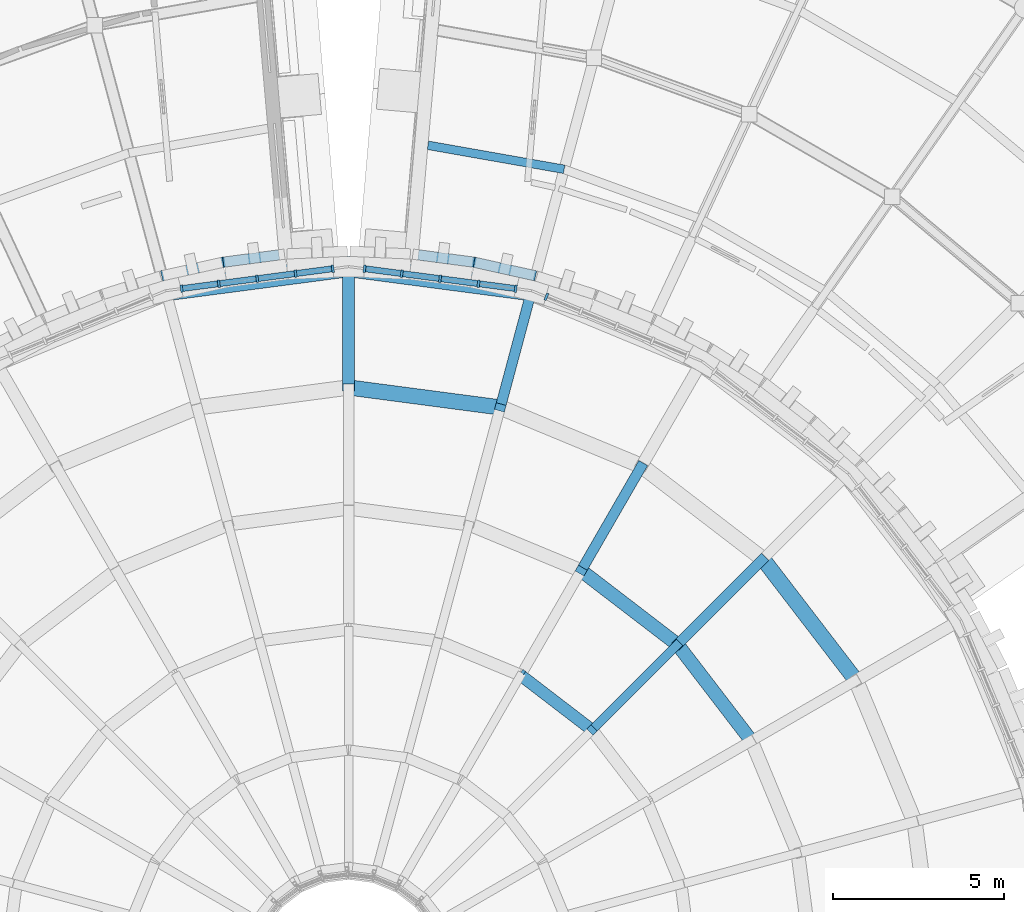
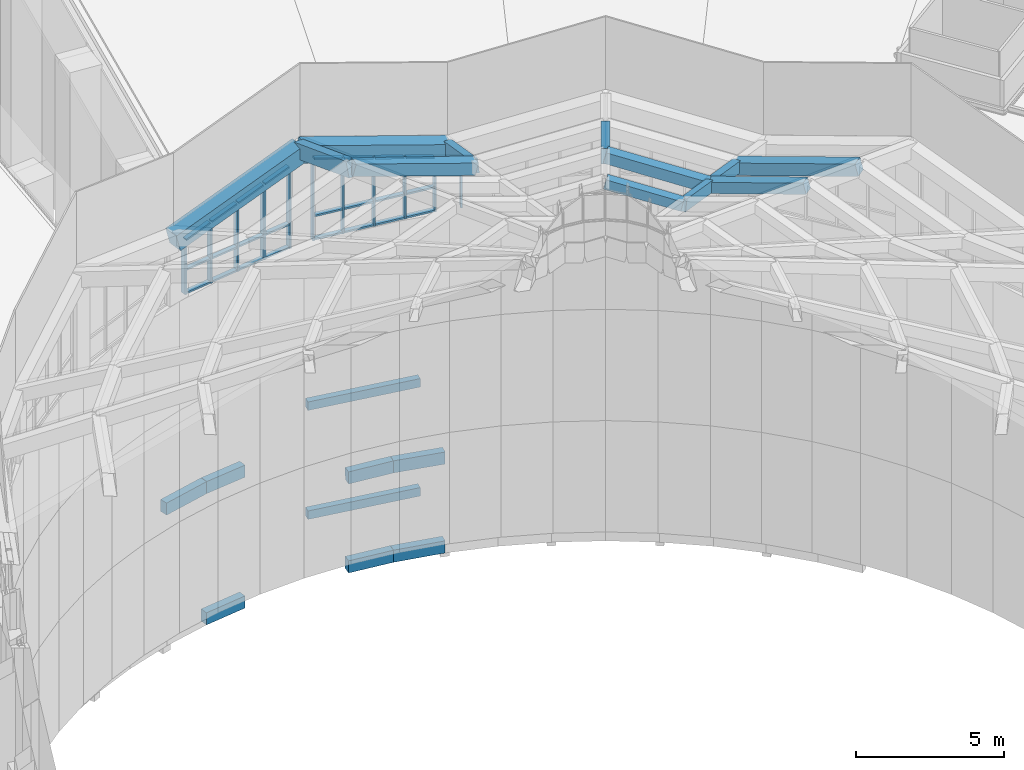
# One storey, part 16 of 82: 35 members, 21 beams, 3 elements without a shape of their own.
"""IFC4 building model written with IfcOpenShell, lengths in metres."""

from ifc_helpers import new_model, si_unit, direction, frame, origin, origin_2d, place, context, subcontext, project, spatial, rectangle, extrude, material, layer, layer_set, material_profile, profile_set, type_object, element, aggregate, save


model = new_model("IFC4")

# Units and contexts
model_context = context("Model", 3, precision=1e-05, world=origin(), true_north=direction((0.0, 1.0)))
body_context = subcontext(model_context, "Body", "Model", "MODEL_VIEW")
ifc_project = project(units=[si_unit("LENGTHUNIT", "METRE"), si_unit("AREAUNIT", "SQUARE_METRE"), si_unit("VOLUMEUNIT", "CUBIC_METRE"), si_unit("PLANEANGLEUNIT", "RADIAN"), si_unit("MASSUNIT", "GRAM", prefix="KILO")], contexts=[model_context])

# Site, building, storey
site_placement = place(None, origin())
site = spatial("IfcSite", under=ifc_project, at=site_placement, CompositionType="ELEMENT")
building_placement = place(site_placement, origin())
building = spatial("IfcBuilding", under=site, at=building_placement, Name="Volute Hill Aquarium", CompositionType="ELEMENT")
storey_placement = place(building_placement, frame((0.0, 0.0, 13.800048828125)))
storey = spatial("IfcBuildingStorey", under=building, at=storey_placement, Name="L04", CompositionType="ELEMENT", Elevation=13.800048828125)

# Curtain wall, member
ifc_material_1 = material(Name="Aluminium", Category="aluminium")
ifc_layer = layer(ifc_material_1, 0.219970703125)
ifc_layer_set = layer_set([ifc_layer], Name="Curtain wall DR clerestory module 1134")
curtain_wall_type = type_object("IfcCurtainWallType", Name="Curtain wall DR clerestory module 1134", PredefinedType="NOTDEFINED", material=ifc_layer_set)
curtain_wall_1_placement = place(storey_placement, origin())
curtain_wall_1 = element("IfcCurtainWall", 1, at=curtain_wall_1_placement, inside=storey, type_object=curtain_wall_type, Name="Curtain wall CW DR clerestory c04", PredefinedType="NOTDEFINED")
ifc_material_2 = material(Name="Aluminium", Category="aluminium")
ifc_material_profile_1 = material_profile(ifc_material_2, rectangle(XDim=0.219970703125, YDim=0.070068359375, at=origin_2d()), Name="Curtain wall mullion clerestory 70x220")
ifc_profile_set_1 = profile_set([ifc_material_profile_1], Name="Aluminium")
member_type_1 = type_object("IfcMemberType", Name="Curtain wall mullion clerestory 70x220", PredefinedType="MULLION", material=ifc_profile_set_1)
member_1_placement = place(storey_placement, frame((5.790771484375, 19.815185546875, 13.699951171875), z_axis=(0.0, 0.0, 1.0), x_axis=(-0.382696102118, -0.923874284426, 0.0)))
member_1 = element("IfcMember", 2, at=member_1_placement, type_object=member_type_1, Name="Mullion DR clerestory 5", PredefinedType="MULLION", context=body_context, shape_type="SweptSolid", body=[
    extrude(rectangle(XDim=0.219970703125, YDim=0.070068359375, at=origin_2d()), origin(), (0.0, 0.0, 1.0), 2.248779296875),
])
aggregate(curtain_wall_1, [member_1])

# Curtain wall, members
curtain_wall_2_placement = place(storey_placement, origin())
curtain_wall_2 = element("IfcCurtainWall", 3, at=curtain_wall_2_placement, inside=storey, type_object=curtain_wall_type, Name="Curtain wall CW DR clerestory c05", PredefinedType="NOTDEFINED")
member_2_placement = place(storey_placement, frame((4.892822265625, 20.055908203125, 13.699951171875), z_axis=(0.0, 0.0, 1.0), x_axis=(-0.130518657667, -0.991445853287, 0.0)))
member_2 = element("IfcMember", 4, at=member_2_placement, type_object=member_type_1, Name="Mullion DR clerestory 1", PredefinedType="MULLION", context=body_context, shape_type="SweptSolid", body=[
    extrude(rectangle(XDim=0.219970703125, YDim=0.070068359375, at=origin_2d()), origin(), (0.0, 0.0, 1.0), 2.248779296875),
])
member_3_placement = place(storey_placement, frame((3.80322265625, 20.19921875, 13.699951171875), z_axis=(0.0, 0.0, 1.0), x_axis=(-0.130518657667, -0.991445853287, 0.0)))
member_3 = element("IfcMember", 5, at=member_3_placement, type_object=member_type_1, Name="Mullion DR clerestory 2", PredefinedType="MULLION", context=body_context, shape_type="SweptSolid", body=[
    extrude(rectangle(XDim=0.219970703125, YDim=0.070068359375, at=origin_2d()), origin(), (0.0, 0.0, 1.0), 2.533447265625),
])
member_4_placement = place(storey_placement, frame((2.6787109375, 20.347412109375, 13.699951171875), z_axis=(0.0, 0.0, 1.0), x_axis=(-0.130518657667, -0.991445853287, 0.0)))
member_4 = element("IfcMember", 6, at=member_4_placement, type_object=member_type_1, Name="Mullion DR clerestory 3", PredefinedType="MULLION", context=body_context, shape_type="SweptSolid", body=[
    extrude(rectangle(XDim=0.219970703125, YDim=0.070068359375, at=origin_2d()), origin(), (0.0, 0.0, 1.0), 2.827392578125),
])
member_5_placement = place(storey_placement, frame((1.554443359375, 20.495361328125, 13.699951171875), z_axis=(0.0, 0.0, 1.0), x_axis=(-0.130518657667, -0.991445853287, 0.0)))
member_5 = element("IfcMember", 7, at=member_5_placement, type_object=member_type_1, Name="Mullion DR clerestory 4", PredefinedType="MULLION", context=body_context, shape_type="SweptSolid", body=[
    extrude(rectangle(XDim=0.219970703125, YDim=0.070068359375, at=origin_2d()), origin(), (0.0, 0.0, 1.0), 3.12109375),
])
member_6_placement = place(storey_placement, frame((0.46484375, 20.638916015625, 13.699951171875), z_axis=(0.0, 0.0, 1.0), x_axis=(-0.130518657667, -0.991445853287, 0.0)))
member_6 = element("IfcMember", 8, at=member_6_placement, type_object=member_type_1, Name="Mullion DR clerestory 5", PredefinedType="MULLION", context=body_context, shape_type="SweptSolid", body=[
    extrude(rectangle(XDim=0.219970703125, YDim=0.070068359375, at=origin_2d()), origin(), (0.0, 0.0, 1.0), 3.40576171875),
])

curtain_wall_3_placement = place(storey_placement, origin())
curtain_wall_3 = element("IfcCurtainWall", 9, at=curtain_wall_3_placement, inside=storey, type_object=curtain_wall_type, Name="Curtain wall CW DR clerestory c06", PredefinedType="NOTDEFINED")
member_7_placement = place(storey_placement, frame((-0.46484375, 20.638916015625, 13.699951171875), z_axis=(0.0, 0.0, 1.0), x_axis=(0.130518657667, -0.991445853287, 0.0)))
member_7 = element("IfcMember", 10, at=member_7_placement, type_object=member_type_1, Name="Mullion DR clerestory 1", PredefinedType="MULLION", context=body_context, shape_type="SweptSolid", body=[
    extrude(rectangle(XDim=0.219970703125, YDim=0.070068359375, at=origin_2d()), origin(), (0.0, 0.0, 1.0), 3.40576171875),
])
member_8_placement = place(storey_placement, frame((-1.554443359375, 20.495361328125, 13.699951171875), z_axis=(0.0, 0.0, 1.0), x_axis=(0.130518657667, -0.991445853287, 0.0)))
member_8 = element("IfcMember", 11, at=member_8_placement, type_object=member_type_1, Name="Mullion DR clerestory 2", PredefinedType="MULLION", context=body_context, shape_type="SweptSolid", body=[
    extrude(rectangle(XDim=0.219970703125, YDim=0.070068359375, at=origin_2d()), origin(), (0.0, 0.0, 1.0), 3.12109375),
])
member_9_placement = place(storey_placement, frame((-2.6787109375, 20.347412109375, 13.699951171875), z_axis=(0.0, 0.0, 1.0), x_axis=(0.130518657667, -0.991445853287, 0.0)))
member_9 = element("IfcMember", 12, at=member_9_placement, type_object=member_type_1, Name="Mullion DR clerestory 3", PredefinedType="MULLION", context=body_context, shape_type="SweptSolid", body=[
    extrude(rectangle(XDim=0.219970703125, YDim=0.070068359375, at=origin_2d()), origin(), (0.0, 0.0, 1.0), 2.827392578125),
])
member_10_placement = place(storey_placement, frame((-3.80322265625, 20.19921875, 13.699951171875), z_axis=(0.0, 0.0, 1.0), x_axis=(0.130518657667, -0.991445853287, 0.0)))
member_10 = element("IfcMember", 13, at=member_10_placement, type_object=member_type_1, Name="Mullion DR clerestory 4", PredefinedType="MULLION", context=body_context, shape_type="SweptSolid", body=[
    extrude(rectangle(XDim=0.219970703125, YDim=0.070068359375, at=origin_2d()), origin(), (0.0, 0.0, 1.0), 2.533447265625),
])
member_11_placement = place(storey_placement, frame((-4.892822265625, 20.055908203125, 13.699951171875), z_axis=(0.0, 0.0, 1.0), x_axis=(0.130518657667, -0.991445853287, 0.0)))
member_11 = element("IfcMember", 14, at=member_11_placement, type_object=member_type_1, Name="Mullion DR clerestory 5", PredefinedType="MULLION", context=body_context, shape_type="SweptSolid", body=[
    extrude(rectangle(XDim=0.219970703125, YDim=0.070068359375, at=origin_2d()), origin(), (0.0, 0.0, 1.0), 2.248779296875),
])

# Member
ifc_material_3 = material(Name="Aluminium", Category="aluminium")
ifc_material_profile_2 = material_profile(ifc_material_3, rectangle(XDim=0.179931640625, YDim=0.070068359375, at=origin_2d()), Name="Curtain wall transom clerestory 70x180")
ifc_profile_set_2 = profile_set([ifc_material_profile_2], Name="Aluminium")
member_type_2 = type_object("IfcMemberType", Name="Curtain wall transom clerestory 70x180", PredefinedType="USERDEFINED", material=ifc_profile_set_2)
member_12_placement = place(storey_placement, frame((4.85791015625, 20.060546875, 13.73486328125), z_axis=(-0.991446216664, 0.130515897359, 0.0), x_axis=(-0.130515897359, -0.991446216664, 0.0)))
member_12 = element("IfcMember", 15, at=member_12_placement, type_object=member_type_2, Name="Transom DR clerestory 1.1", ObjectType="TRANSOM", PredefinedType="USERDEFINED", context=body_context, shape_type="SweptSolid", body=[
    extrude(rectangle(XDim=0.179931640625, YDim=0.070068359375, at=origin_2d()), origin(), (0.0, 0.0, 1.0), 1.02880859375),
])

member_13_placement = place(storey_placement, frame((4.85791015625, 20.060546875, 14.699951171875), z_axis=(-0.991446216664, 0.130515897359, 0.0), x_axis=(-0.130515897359, -0.991446216664, 0.0)))
member_13 = element("IfcMember", 16, at=member_13_placement, type_object=member_type_2, Name="Transom DR clerestory 1.2", ObjectType="TRANSOM", PredefinedType="USERDEFINED", context=body_context, shape_type="SweptSolid", body=[
    extrude(rectangle(XDim=0.179931640625, YDim=0.070068359375, at=origin_2d()), origin(), (0.0, 0.0, 1.0), 1.02880859375),
])

member_14_placement = place(storey_placement, frame((4.85791015625, 20.060546875, 15.9228515625), z_axis=(-0.959746204329, 0.126342846429, 0.250847978728), x_axis=(-0.130515897359, -0.991446216664, 0.0)))
member_14 = element("IfcMember", 17, at=member_14_placement, type_object=member_type_2, Name="Head member DR clerestory 1", ObjectType="TRANSOM", PredefinedType="USERDEFINED", context=body_context, shape_type="SweptSolid", body=[
    extrude(rectangle(XDim=0.179931640625, YDim=0.070068359375, at=origin_2d()), origin(), (0.0, 0.0, 1.0), 1.062744140625),
])

member_15_placement = place(storey_placement, frame((3.768310546875, 20.203857421875, 13.73486328125), z_axis=(-0.991441014026, 0.1305554124, 0.0), x_axis=(-0.1305554124, -0.991441014026, 0.0)))
member_15 = element("IfcMember", 18, at=member_15_placement, type_object=member_type_2, Name="Transom DR clerestory 2.1", ObjectType="TRANSOM", PredefinedType="USERDEFINED", context=body_context, shape_type="SweptSolid", body=[
    extrude(rectangle(XDim=0.179931640625, YDim=0.070068359375, at=origin_2d()), origin(), (0.0, 0.0, 1.0), 1.06396484375),
])

member_16_placement = place(storey_placement, frame((3.768310546875, 20.203857421875, 14.699951171875), z_axis=(-0.991441014026, 0.1305554124, 0.0), x_axis=(-0.1305554124, -0.991441014026, 0.0)))
member_16 = element("IfcMember", 19, at=member_16_placement, type_object=member_type_2, Name="Transom DR clerestory 2.2", ObjectType="TRANSOM", PredefinedType="USERDEFINED", context=body_context, shape_type="SweptSolid", body=[
    extrude(rectangle(XDim=0.179931640625, YDim=0.070068359375, at=origin_2d()), origin(), (0.0, 0.0, 1.0), 1.06396484375),
])

member_17_placement = place(storey_placement, frame((3.768310546875, 20.203857421875, 16.20751953125), z_axis=(-0.959761576118, 0.126383785423, 0.250768530302), x_axis=(-0.1305554124, -0.991441014026, 0.0)))
member_17 = element("IfcMember", 20, at=member_17_placement, type_object=member_type_2, Name="Head member DR clerestory 2", ObjectType="TRANSOM", PredefinedType="USERDEFINED", context=body_context, shape_type="SweptSolid", body=[
    extrude(rectangle(XDim=0.179931640625, YDim=0.070068359375, at=origin_2d()), origin(), (0.0, 0.0, 1.0), 1.09912109375),
])

member_18_placement = place(storey_placement, frame((2.64404296875, 20.351806640625, 13.73486328125), z_axis=(-0.991441014026, 0.1305554124, 0.0), x_axis=(-0.1305554124, -0.991441014026, 0.0)))
member_18 = element("IfcMember", 21, at=member_18_placement, type_object=member_type_2, Name="Transom DR clerestory 3.1", ObjectType="TRANSOM", PredefinedType="USERDEFINED", context=body_context, shape_type="SweptSolid", body=[
    extrude(rectangle(XDim=0.179931640625, YDim=0.070068359375, at=origin_2d()), origin(), (0.0, 0.0, 1.0), 1.06396484375),
])

member_19_placement = place(storey_placement, frame((2.64404296875, 20.351806640625, 14.699951171875), z_axis=(-0.991441014026, 0.1305554124, 0.0), x_axis=(-0.1305554124, -0.991441014026, 0.0)))
member_19 = element("IfcMember", 22, at=member_19_placement, type_object=member_type_2, Name="Transom DR clerestory 3.2", ObjectType="TRANSOM", PredefinedType="USERDEFINED", context=body_context, shape_type="SweptSolid", body=[
    extrude(rectangle(XDim=0.179931640625, YDim=0.070068359375, at=origin_2d()), origin(), (0.0, 0.0, 1.0), 1.06396484375),
])

member_20_placement = place(storey_placement, frame((2.64404296875, 20.351806640625, 16.501220703125), z_axis=(-0.959708098571, 0.126376743366, 0.250976660816), x_axis=(-0.1305554124, -0.991441014026, 0.0)))
member_20 = element("IfcMember", 23, at=member_20_placement, type_object=member_type_2, Name="Head member DR clerestory 3", ObjectType="TRANSOM", PredefinedType="USERDEFINED", context=body_context, shape_type="SweptSolid", body=[
    extrude(rectangle(XDim=0.179931640625, YDim=0.070068359375, at=origin_2d()), origin(), (0.0, 0.0, 1.0), 1.09912109375),
])

member_21_placement = place(storey_placement, frame((1.519775390625, 20.5, 13.73486328125), z_axis=(-0.991450257528, 0.130485197808, 0.0), x_axis=(-0.130485197808, -0.991450257528, 0.0)))
member_21 = element("IfcMember", 24, at=member_21_placement, type_object=member_type_2, Name="Transom DR clerestory 4.1", ObjectType="TRANSOM", PredefinedType="USERDEFINED", context=body_context, shape_type="SweptSolid", body=[
    extrude(rectangle(XDim=0.179931640625, YDim=0.070068359375, at=origin_2d()), origin(), (0.0, 0.0, 1.0), 1.029052734375),
])

member_22_placement = place(storey_placement, frame((1.519775390625, 20.5, 14.699951171875), z_axis=(-0.991450257528, 0.130485197808, 0.0), x_axis=(-0.130485197808, -0.991450257528, 0.0)))
member_22 = element("IfcMember", 25, at=member_22_placement, type_object=member_type_2, Name="Transom DR clerestory 4.2", ObjectType="TRANSOM", PredefinedType="USERDEFINED", context=body_context, shape_type="SweptSolid", body=[
    extrude(rectangle(XDim=0.179931640625, YDim=0.070068359375, at=origin_2d()), origin(), (0.0, 0.0, 1.0), 1.029052734375),
])

member_23_placement = place(storey_placement, frame((1.519775390625, 20.5, 16.795166015625), z_axis=(-0.959764319859, 0.126314997828, 0.250792686596), x_axis=(-0.130485197808, -0.991450257528, 0.0)))
member_23 = element("IfcMember", 26, at=member_23_placement, type_object=member_type_2, Name="Head member DR clerestory 4", ObjectType="TRANSOM", PredefinedType="USERDEFINED", context=body_context, shape_type="SweptSolid", body=[
    extrude(rectangle(XDim=0.179931640625, YDim=0.070068359375, at=origin_2d()), origin(), (0.0, 0.0, 1.0), 1.06298828125),
])

aggregate(curtain_wall_2, [member_2, member_3, member_4, member_5, member_6, member_12, member_13, member_14, member_15, member_16, member_17, member_18, member_19, member_20, member_21, member_22, member_23])

member_24_placement = place(storey_placement, frame((-0.49951171875, 20.63427734375, 13.73486328125), z_axis=(-0.991450257528, -0.130485197808, 0.0), x_axis=(0.130485197808, -0.991450257528, 0.0)))
member_24 = element("IfcMember", 27, at=member_24_placement, type_object=member_type_2, Name="Transom DR clerestory 1.1", ObjectType="TRANSOM", PredefinedType="USERDEFINED", context=body_context, shape_type="SweptSolid", body=[
    extrude(rectangle(XDim=0.179931640625, YDim=0.070068359375, at=origin_2d()), origin(), (0.0, 0.0, 1.0), 1.029052734375),
])

member_25_placement = place(storey_placement, frame((-0.49951171875, 20.63427734375, 14.699951171875), z_axis=(-0.991450257528, -0.130485197808, 0.0), x_axis=(0.130485197808, -0.991450257528, 0.0)))
member_25 = element("IfcMember", 28, at=member_25_placement, type_object=member_type_2, Name="Transom DR clerestory 1.2", ObjectType="TRANSOM", PredefinedType="USERDEFINED", context=body_context, shape_type="SweptSolid", body=[
    extrude(rectangle(XDim=0.179931640625, YDim=0.070068359375, at=origin_2d()), origin(), (0.0, 0.0, 1.0), 1.029052734375),
])

member_26_placement = place(storey_placement, frame((-0.49951171875, 20.63427734375, 17.061767578125), z_axis=(-0.959764319859, -0.126314997828, -0.250792686596), x_axis=(0.130485197808, -0.991450257528, 0.0)))
member_26 = element("IfcMember", 29, at=member_26_placement, type_object=member_type_2, Name="Head member DR clerestory 1", ObjectType="TRANSOM", PredefinedType="USERDEFINED", context=body_context, shape_type="SweptSolid", body=[
    extrude(rectangle(XDim=0.179931640625, YDim=0.070068359375, at=origin_2d()), origin(), (0.0, 0.0, 1.0), 1.06298828125),
])

member_27_placement = place(storey_placement, frame((-1.589111328125, 20.49072265625, 13.73486328125), z_axis=(-0.991441014026, -0.1305554124, 0.0), x_axis=(0.1305554124, -0.991441014026, 0.0)))
member_27 = element("IfcMember", 30, at=member_27_placement, type_object=member_type_2, Name="Transom DR clerestory 2.1", ObjectType="TRANSOM", PredefinedType="USERDEFINED", context=body_context, shape_type="SweptSolid", body=[
    extrude(rectangle(XDim=0.179931640625, YDim=0.070068359375, at=origin_2d()), origin(), (0.0, 0.0, 1.0), 1.06396484375),
])

member_28_placement = place(storey_placement, frame((-1.589111328125, 20.49072265625, 14.699951171875), z_axis=(-0.991441014026, -0.1305554124, 0.0), x_axis=(0.1305554124, -0.991441014026, 0.0)))
member_28 = element("IfcMember", 31, at=member_28_placement, type_object=member_type_2, Name="Transom DR clerestory 2.2", ObjectType="TRANSOM", PredefinedType="USERDEFINED", context=body_context, shape_type="SweptSolid", body=[
    extrude(rectangle(XDim=0.179931640625, YDim=0.070068359375, at=origin_2d()), origin(), (0.0, 0.0, 1.0), 1.06396484375),
])

member_29_placement = place(storey_placement, frame((-1.589111328125, 20.49072265625, 16.777099609375), z_axis=(-0.959708098571, -0.126376743366, -0.250976660816), x_axis=(0.1305554124, -0.991441014026, 0.0)))
member_29 = element("IfcMember", 32, at=member_29_placement, type_object=member_type_2, Name="Head member DR clerestory 2", ObjectType="TRANSOM", PredefinedType="USERDEFINED", context=body_context, shape_type="SweptSolid", body=[
    extrude(rectangle(XDim=0.179931640625, YDim=0.070068359375, at=origin_2d()), origin(), (0.0, 0.0, 1.0), 1.09912109375),
])

member_30_placement = place(storey_placement, frame((-2.71337890625, 20.3427734375, 13.73486328125), z_axis=(-0.991441014026, -0.1305554124, 0.0), x_axis=(0.1305554124, -0.991441014026, 0.0)))
member_30 = element("IfcMember", 33, at=member_30_placement, type_object=member_type_2, Name="Transom DR clerestory 3.1", ObjectType="TRANSOM", PredefinedType="USERDEFINED", context=body_context, shape_type="SweptSolid", body=[
    extrude(rectangle(XDim=0.179931640625, YDim=0.070068359375, at=origin_2d()), origin(), (0.0, 0.0, 1.0), 1.06396484375),
])

member_31_placement = place(storey_placement, frame((-2.71337890625, 20.3427734375, 14.699951171875), z_axis=(-0.991441014026, -0.1305554124, 0.0), x_axis=(0.1305554124, -0.991441014026, 0.0)))
member_31 = element("IfcMember", 34, at=member_31_placement, type_object=member_type_2, Name="Transom DR clerestory 3.2", ObjectType="TRANSOM", PredefinedType="USERDEFINED", context=body_context, shape_type="SweptSolid", body=[
    extrude(rectangle(XDim=0.179931640625, YDim=0.070068359375, at=origin_2d()), origin(), (0.0, 0.0, 1.0), 1.06396484375),
])

member_32_placement = place(storey_placement, frame((-2.71337890625, 20.3427734375, 16.483154296875), z_axis=(-0.959761576118, -0.126383785423, -0.250768530302), x_axis=(0.1305554124, -0.991441014026, 0.0)))
member_32 = element("IfcMember", 35, at=member_32_placement, type_object=member_type_2, Name="Head member DR clerestory 3", ObjectType="TRANSOM", PredefinedType="USERDEFINED", context=body_context, shape_type="SweptSolid", body=[
    extrude(rectangle(XDim=0.179931640625, YDim=0.070068359375, at=origin_2d()), origin(), (0.0, 0.0, 1.0), 1.09912109375),
])

member_33_placement = place(storey_placement, frame((-3.837890625, 20.19482421875, 13.73486328125), z_axis=(-0.991446216664, -0.130515897359, 0.0), x_axis=(0.130515897359, -0.991446216664, 0.0)))
member_33 = element("IfcMember", 36, at=member_33_placement, type_object=member_type_2, Name="Transom DR clerestory 4.1", ObjectType="TRANSOM", PredefinedType="USERDEFINED", context=body_context, shape_type="SweptSolid", body=[
    extrude(rectangle(XDim=0.179931640625, YDim=0.070068359375, at=origin_2d()), origin(), (0.0, 0.0, 1.0), 1.02880859375),
])

member_34_placement = place(storey_placement, frame((-3.837890625, 20.19482421875, 14.699951171875), z_axis=(-0.991446216664, -0.130515897359, 0.0), x_axis=(0.130515897359, -0.991446216664, 0.0)))
member_34 = element("IfcMember", 37, at=member_34_placement, type_object=member_type_2, Name="Transom DR clerestory 4.2", ObjectType="TRANSOM", PredefinedType="USERDEFINED", context=body_context, shape_type="SweptSolid", body=[
    extrude(rectangle(XDim=0.179931640625, YDim=0.070068359375, at=origin_2d()), origin(), (0.0, 0.0, 1.0), 1.02880859375),
])

member_35_placement = place(storey_placement, frame((-3.837890625, 20.19482421875, 16.189453125), z_axis=(-0.959746204329, -0.126342846429, -0.250847978728), x_axis=(0.130515897359, -0.991446216664, 0.0)))
member_35 = element("IfcMember", 38, at=member_35_placement, type_object=member_type_2, Name="Head member DR clerestory 4", ObjectType="TRANSOM", PredefinedType="USERDEFINED", context=body_context, shape_type="SweptSolid", body=[
    extrude(rectangle(XDim=0.179931640625, YDim=0.070068359375, at=origin_2d()), origin(), (0.0, 0.0, 1.0), 1.062744140625),
])

aggregate(curtain_wall_3, [member_7, member_8, member_9, member_10, member_11, member_24, member_25, member_26, member_27, member_28, member_29, member_30, member_31, member_32, member_33, member_34, member_35])

# Beams
ifc_material_4 = material(Name="Concrete C40/50", Category="concrete")
ifc_material_profile_3 = material_profile(ifc_material_4, rectangle(XDim=0.60009765625, YDim=0.699951171875, at=origin_2d()), Name="RC beam 600x700")
ifc_profile_set_3 = profile_set([ifc_material_profile_3], Name="Concrete C40/50")
beam_type_1 = type_object("IfcBeamType", Name="Dome shell eave ring beam 600x700", PredefinedType="BEAM", material=ifc_profile_set_3)
for number, where, z_axis, x_axis, name in (
    (39, (5.357666015625, 19.99462890625, 16.1162109375), (-0.959763944084, 0.126350331942, 0.250776325148), (-0.130521126954, -0.991445528216, 0.0), "rb/DR/L04/eave.5"),
    (40, (0.0, 20.699951171875, 17.51611328125), (-0.959763944084, -0.126350331942, -0.250776325148), (0.130521126954, -0.991445528216, 0.0), "rb/DR/L04/eave.6"),
):
    element("IfcBeam", number, at=place(storey_placement, frame(where, z_axis=z_axis, x_axis=x_axis)), inside=storey, type_object=beam_type_1, Name=name, PredefinedType="BEAM", context=body_context, shape_type="SweptSolid", body=[
        extrude(rectangle(XDim=0.60009765625, YDim=0.699951171875, at=origin_2d()), origin(), (0.0, 0.0, 1.0), 5.582275390625),
    ])
ifc_material_5 = material(Name="Concrete C40/50", Category="concrete")
ifc_material_profile_4 = material_profile(ifc_material_5, rectangle(XDim=0.300048828125, YDim=0.550048828125, at=origin_2d()), Name="RC rib 300x550")
ifc_profile_set_4 = profile_set([ifc_material_profile_4], Name="Concrete C40/50")
beam_type_2 = type_object("IfcBeamType", Name="Dome shell ridge rib 300x550", PredefinedType="BEAM", material=ifc_profile_set_4)
beam_1_placement = place(storey_placement, frame((8.580078125, 14.861083984375, 18.92578125), z_axis=(-0.467529136043, -0.809760463627, 0.354548302064), x_axis=(0.866019052629, -0.500011000363, 0.0)))
element("IfcBeam", 41, at=beam_1_placement, inside=storey, type_object=beam_type_2, Name="rb/DR/L04/ridge1.4", PredefinedType="BEAM", context=body_context, shape_type="SweptSolid", body=[
    extrude(rectangle(XDim=0.300048828125, YDim=0.550048828125, at=origin_2d()), origin(), (0.0, 0.0, 1.0), 3.785888671875),
])
ifc_material_6 = material(Name="Concrete C40/50", Category="concrete")
ifc_material_profile_5 = material_profile(ifc_material_6, rectangle(XDim=0.35009765625, YDim=0.60009765625, at=origin_2d()), Name="RC rib 350x600")
ifc_profile_set_5 = profile_set([ifc_material_profile_5], Name="Concrete C40/50")
beam_type_3 = type_object("IfcBeamType", Name="Dome shell ridge rib 350x600", PredefinedType="BEAM", material=ifc_profile_set_5)
beam_2_placement = place(storey_placement, frame((0.0, 20.699951171875, 17.556884765625), z_axis=(0.0, -0.935061662861, 0.354485100741), x_axis=(1.0, 0.0, 0.0)))
element("IfcBeam", 42, at=beam_2_placement, inside=storey, type_object=beam_type_3, Name="rb/DR/L04/ridge0.6", PredefinedType="BEAM", context=body_context, shape_type="SweptSolid", body=[
    extrude(rectangle(XDim=0.35009765625, YDim=0.60009765625, at=origin_2d()), origin(), (0.0, 0.0, 1.0), 3.785888671875),
])
ifc_material_7 = material(Name="Concrete C40/50", Category="concrete")
ifc_material_profile_6 = material_profile(ifc_material_7, rectangle(XDim=0.35009765625, YDim=0.39990234375, at=origin_2d()), Name="RC beam 350x400")
ifc_profile_set_6 = profile_set([ifc_material_profile_6], Name="Concrete C40/50")
beam_type_4 = type_object("IfcBeamType", Name="Dome shell ring beam 350x400", PredefinedType="BEAM", material=ifc_profile_set_6)
beam_3_placement = place(storey_placement, frame((7.127685546875, 7.127685546875, 21.01611328125), z_axis=(-0.768021440835, 0.589286477993, 0.250767847364), x_axis=(-0.608737306285, -0.793371849725, 0.0)))
element("IfcBeam", 43, at=beam_3_placement, inside=storey, type_object=beam_type_4, Name="rb/DR/L04/ring3.3", PredefinedType="BEAM", context=body_context, shape_type="SweptSolid", body=[
    extrude(rectangle(XDim=0.35009765625, YDim=0.39990234375, at=origin_2d()), origin(), (0.0, 0.0, 1.0), 2.71826171875),
])
ifc_material_8 = material(Name="Concrete C40/50", Category="concrete")
ifc_material_profile_7 = material_profile(ifc_material_8, rectangle(XDim=0.39990234375, YDim=0.449951171875, at=origin_2d()), Name="RC beam 400x450")
ifc_profile_set_7 = profile_set([ifc_material_profile_7], Name="Concrete C40/50")
beam_type_5 = type_object("IfcBeamType", Name="Dome shell ring beam 400x450", PredefinedType="BEAM", material=ifc_profile_set_7)
for number, where, z_axis, x_axis, name in (
    (44, (11.79541015625, 6.81005859375, 20.32958984375), (-0.589319109649, 0.767989284107, -0.250789645918), (-0.793343259525, -0.608774566293, 0.0), "rb/DR/L04/ring2.2"),
    (45, (9.630859375, 9.630859375, 19.408447265625), (-0.767989284107, 0.589319109649, 0.250789645918), (-0.608774566293, -0.793343259525, 0.0), "rb/DR/L04/ring2.3"),
):
    element("IfcBeam", number, at=place(storey_placement, frame(where, z_axis=z_axis, x_axis=x_axis)), inside=storey, type_object=beam_type_5, Name=name, PredefinedType="BEAM", context=body_context, shape_type="SweptSolid", body=[
        extrude(rectangle(XDim=0.39990234375, YDim=0.449951171875, at=origin_2d()), origin(), (0.0, 0.0, 1.0), 3.6728515625),
    ])
ifc_material_9 = material(Name="Concrete C40/50", Category="concrete")
ifc_material_profile_8 = material_profile(ifc_material_9, rectangle(XDim=0.449951171875, YDim=0.5, at=origin_2d()), Name="RC beam 450x500")
ifc_profile_set_8 = profile_set([ifc_material_profile_8], Name="Concrete C40/50")
beam_type_6 = type_object("IfcBeamType", Name="Dome shell ring beam 450x500", PredefinedType="BEAM", material=ifc_profile_set_8)
for number, where, z_axis, x_axis, name in (
    (46, (14.861083984375, 8.580078125, 18.961669921875), (-0.589303841521, 0.767994272249, -0.250810247322), (-0.793352786595, -0.608762150599, 0.0), "rb/DR/L04/ring1.2"),
    (47, (4.44140625, 16.5751953125, 17.801025390625), (-0.959755610511, 0.126353050087, 0.250806847646), (-0.130525001021, -0.991445018197, 0.0), "rb/DR/L04/ring1.5"),
):
    element("IfcBeam", number, at=place(storey_placement, frame(where, z_axis=z_axis, x_axis=x_axis)), inside=storey, type_object=beam_type_6, Name=name, PredefinedType="BEAM", context=body_context, shape_type="SweptSolid", body=[
        extrude(rectangle(XDim=0.449951171875, YDim=0.5, at=origin_2d()), origin(), (0.0, 0.0, 1.0), 4.627685546875),
    ])
ifc_material_10 = material(Name="Concrete C40/50", Category="concrete")
ifc_material_profile_9 = material_profile(ifc_material_10, rectangle(XDim=0.25, YDim=0.449951171875, at=origin_2d()), Name="RC rib 250x450")
ifc_profile_set_9 = profile_set([ifc_material_profile_9], Name="Concrete C40/50")
beam_type_7 = type_object("IfcBeamType", Name="Dome shell valley rib 250x450", PredefinedType="BEAM", material=ifc_profile_set_9)
beam_4_placement = place(storey_placement, frame((9.630859375, 9.630859375, 19.39453125), z_axis=(-0.645589557289, -0.645589557289, 0.407956182744), x_axis=(0.707106781187, -0.707106781187, 0.0)))
element("IfcBeam", 48, at=beam_4_placement, inside=storey, type_object=beam_type_7, Name="rb/DR/L04/valley2.3", PredefinedType="BEAM", context=body_context, shape_type="SweptSolid", body=[
    extrude(rectangle(XDim=0.25, YDim=0.449951171875, at=origin_2d()), origin(), (0.0, 0.0, 1.0), 3.87744140625),
])
ifc_material_11 = material(Name="Concrete C40/50", Category="concrete")
ifc_material_profile_10 = material_profile(ifc_material_11, rectangle(XDim=0.300048828125, YDim=0.449951171875, at=origin_2d()), Name="RC rib 300x450")
ifc_profile_set_10 = profile_set([ifc_material_profile_10], Name="Concrete C40/50")
beam_type_8 = type_object("IfcBeamType", Name="Dome shell valley rib 300x450", PredefinedType="BEAM", material=ifc_profile_set_10)
beam_5_placement = place(storey_placement, frame((12.134033203125, 12.134033203125, 17.812744140625), z_axis=(-0.645589557289, -0.645589557289, 0.407956182744), x_axis=(0.707106781187, -0.707106781187, 0.0)))
element("IfcBeam", 49, at=beam_5_placement, inside=storey, type_object=beam_type_8, Name="rb/DR/L04/valley1.3", PredefinedType="BEAM", context=body_context, shape_type="SweptSolid", body=[
    extrude(rectangle(XDim=0.300048828125, YDim=0.449951171875, at=origin_2d()), origin(), (0.0, 0.0, 1.0), 3.87744140625),
])
ifc_material_12 = material(Name="Concrete C40/50", Category="concrete")
ifc_material_profile_11 = material_profile(ifc_material_12, rectangle(XDim=0.300048828125, YDim=0.5, at=origin_2d()), Name="RC rib 300x500")
ifc_profile_set_11 = profile_set([ifc_material_profile_11], Name="Concrete C40/50")
beam_type_9 = type_object("IfcBeamType", Name="Dome shell valley rib 300x500", PredefinedType="BEAM", material=ifc_profile_set_11)
beam_6_placement = place(storey_placement, frame((5.357666015625, 19.99462890625, 16.203857421875), z_axis=(-0.236314805179, -0.881914511416, 0.407899629084), x_axis=(0.965924039886, -0.258825711959, 0.0)))
element("IfcBeam", 50, at=beam_6_placement, inside=storey, type_object=beam_type_9, Name="rb/DR/L04/valley0.5", PredefinedType="BEAM", context=body_context, shape_type="SweptSolid", body=[
    extrude(rectangle(XDim=0.300048828125, YDim=0.5, at=origin_2d()), origin(), (0.0, 0.0, 1.0), 3.877197265625),
])
ifc_material_13 = material(Name="Concrete C35/45", Category="concrete")
ifc_material_profile_12 = material_profile(ifc_material_13, rectangle(XDim=0.300048828125, YDim=0.5, at=origin_2d()), Name="RC edge beam 300x500")
ifc_profile_set_12 = profile_set([ifc_material_profile_12], Name="Concrete C35/45")
beam_type_10 = type_object("IfcBeamType", Name="Edge beam 300x500 C35/45", PredefinedType="BEAM", material=ifc_profile_set_12)
beam_7_placement = place(storey_placement, frame((5.47412109375, 20.429443359375, -0.5400390625), z_axis=(-0.976292789523, 0.216454127071, 0.0), x_axis=(-0.216454127071, -0.976292789523, 0.0)))
element("IfcBeam", 51, at=beam_7_placement, inside=storey, type_object=beam_type_10, Name="bm/S5/L04/edgeD.40", PredefinedType="BEAM", context=body_context, shape_type="SweptSolid", body=[
    extrude(rectangle(XDim=0.300048828125, YDim=0.5, at=origin_2d()), origin(), (0.0, 0.0, 1.0), 1.84521484375),
])
beam_8_placement = place(storey_placement, frame((3.672607421875, 20.828857421875, -0.5400390625), z_axis=(-0.99143407694, 0.130608081992, 0.0), x_axis=(-0.130608081992, -0.99143407694, 0.0)))
element("IfcBeam", 52, at=beam_8_placement, inside=storey, type_object=beam_type_10, Name="bm/S5/L04/edgeD.41", PredefinedType="BEAM", context=body_context, shape_type="SweptSolid", body=[
    extrude(rectangle(XDim=0.300048828125, YDim=0.5, at=origin_2d()), origin(), (0.0, 0.0, 1.0), 1.64501953125),
])
beam_9_placement = place(storey_placement, frame((5.47412109375, 20.429443359375, 3.13037109375), z_axis=(-0.976231057304, 0.216440440405, 0.011245377405), x_axis=(-0.216454127071, -0.976292789523, 0.0)))
element("IfcBeam", 53, at=beam_9_placement, inside=storey, type_object=beam_type_10, Name="rb/S5/L04/edgeD.40", PredefinedType="BEAM", context=body_context, shape_type="SweptSolid", body=[
    extrude(rectangle(XDim=0.300048828125, YDim=0.5, at=origin_2d()), origin(), (0.0, 0.0, 1.0), 1.845458984375),
])
for number, where, z_axis, x_axis, name in (
    (54, (3.672607421875, 20.828857421875, 3.151123046875), (-0.991371011076, 0.130599773914, -0.011279071384), (-0.130608081992, -0.99143407694, 0.0), "rb/S5/L04/edgeD.41"),
    (55, (-2.041748046875, 21.043701171875, -0.570068359375), (-0.99143407694, -0.130608081992, 0.0), (0.130608081992, -0.99143407694, 0.0), "bm/S6/L04/edgeD.32"),
    (56, (-2.041748046875, 21.043701171875, 4.832763671875), (-0.991372659632, -0.130599991089, 0.011130681059), (0.130608081992, -0.99143407694, 0.0), "rb/S6/L04/edgeD.32"),
):
    element("IfcBeam", number, at=place(storey_placement, frame(where, z_axis=z_axis, x_axis=x_axis)), inside=storey, type_object=beam_type_10, Name=name, PredefinedType="BEAM", context=body_context, shape_type="SweptSolid", body=[
        extrude(rectangle(XDim=0.300048828125, YDim=0.5, at=origin_2d()), origin(), (0.0, 0.0, 1.0), 1.64501953125),
    ])
beam_10_placement = place(storey_placement, frame((-3.672607421875, 20.828857421875, 4.85107421875), z_axis=(-0.976231057304, -0.216440440405, -0.011245377405), x_axis=(0.216454127071, -0.976292789523, 0.0)))
element("IfcBeam", 57, at=beam_10_placement, inside=storey, type_object=beam_type_10, Name="rb/S6/L04/edgeD.33", PredefinedType="BEAM", context=body_context, shape_type="SweptSolid", body=[
    extrude(rectangle(XDim=0.300048828125, YDim=0.5, at=origin_2d()), origin(), (0.0, 0.0, 1.0), 1.845458984375),
])
ifc_material_14 = material(Name="Concrete C35/45", Category="concrete")
ifc_material_profile_13 = material_profile(ifc_material_14, rectangle(XDim=0.25, YDim=0.35009765625, at=origin_2d()), Name="RC joist 250x350")
ifc_profile_set_13 = profile_set([ifc_material_profile_13], Name="Concrete C35/45")
beam_type_11 = type_object("IfcBeamType", Name="Joist 250x350 C35/45", PredefinedType="BEAM", material=ifc_profile_set_13)
for number, where, z_axis, x_axis, name in (
    (58, (6.310302734375, 23.550537109375, -0.465087890625), (-0.984807222766, 0.173651184814, 0.0), (-0.173651184814, -0.984807222766, 0.0), "bm/S5/L04/jst5"),
    (59, (6.310302734375, 23.550537109375, 4.0361328125), (-0.984807222766, 0.173651184814, 0.0), (-0.173651184814, -0.984807222766, 0.0), "rb/S5/L04/jst5"),
):
    element("IfcBeam", number, at=place(storey_placement, frame(where, z_axis=z_axis, x_axis=x_axis)), inside=storey, type_object=beam_type_11, Name=name, PredefinedType="BEAM", context=body_context, shape_type="SweptSolid", body=[
        extrude(rectangle(XDim=0.25, YDim=0.35009765625, at=origin_2d()), origin(), (0.0, 0.0, 1.0), 4.049072265625),
    ])

save(model, "model.ifc")
